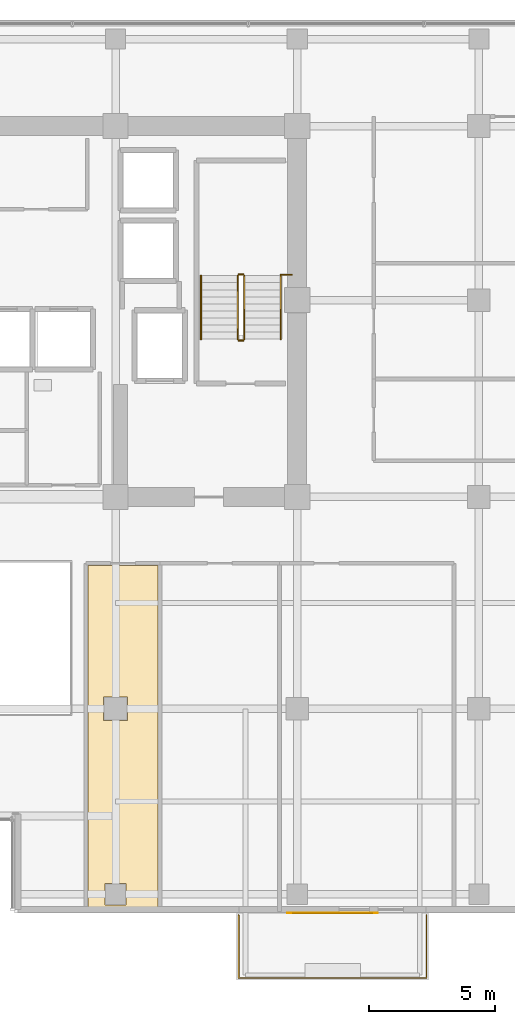
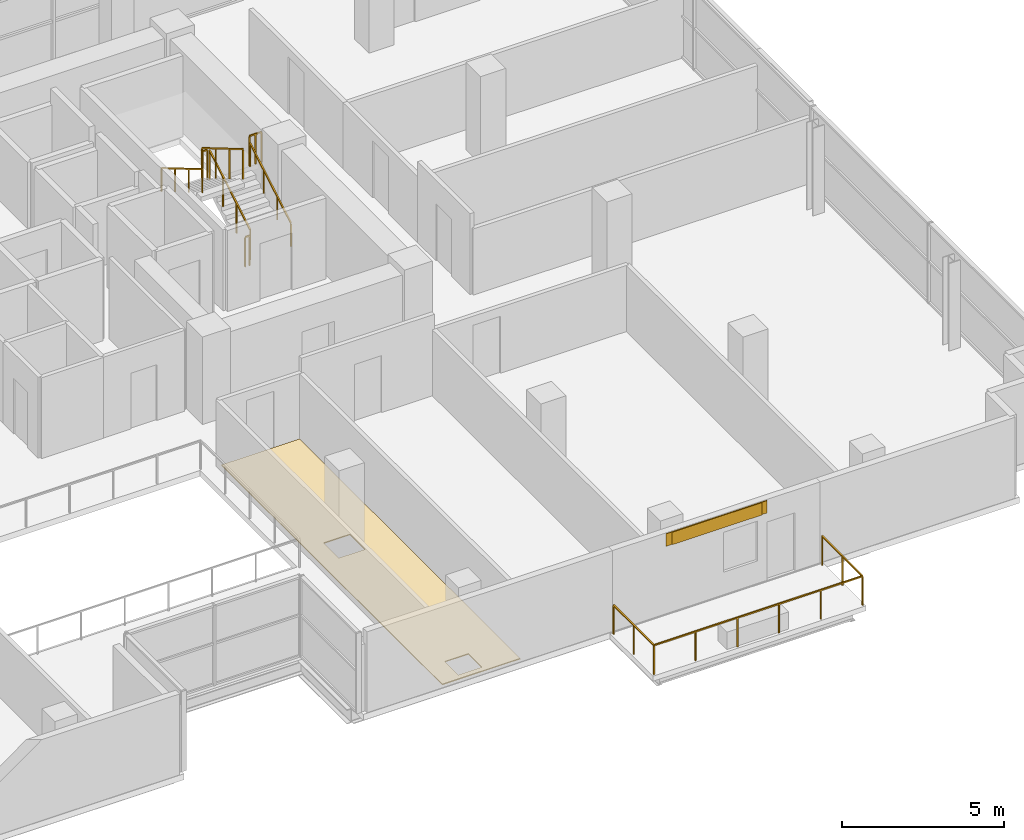
# One storey, part 21 of 22: 8 railings, 2 coverings, 1 shading device.
"""IFC4 building model written with IfcOpenShell, lengths in metres."""

from ifc_helpers import new_model, si_unit, direction, frame, origin, origin_2d, place, context, subcontext, project, spatial, polyline, rectangle, outline, extrude, source, transform, mapped, material, layer, layer_set, type_object, element, save


model = new_model("IFC4")

# Units and contexts
model_context = context("Model", 3, precision=1e-05, world=origin(), true_north=direction((0.0, 1.0)))
body_context = subcontext(model_context, "Body", "Model", "MODEL_VIEW")
ifc_project = project(units=[si_unit("LENGTHUNIT", "METRE"), si_unit("AREAUNIT", "SQUARE_METRE"), si_unit("VOLUMEUNIT", "CUBIC_METRE"), si_unit("PLANEANGLEUNIT", "RADIAN"), si_unit("MASSUNIT", "GRAM", prefix="KILO")], contexts=[model_context])

# Site, building, storey
site_placement = place(None, origin())
site = spatial("IfcSite", under=ifc_project, at=site_placement, CompositionType="ELEMENT")
building_placement = place(site_placement, origin())
building = spatial("IfcBuilding", under=site, at=building_placement, Name="Zarnakvel Exchange Tower", CompositionType="ELEMENT")
storey_placement = place(building_placement, frame((0.0, 0.0, 136.300048828125)))
storey = spatial("IfcBuildingStorey", under=building, at=storey_placement, Name="L38", CompositionType="ELEMENT", Elevation=136.300048828125)

# Covering
ifc_material_1 = material(Name="Heavy-Duty Raised Access Floor Panel", Category="steel")
ifc_layer_1 = layer(ifc_material_1, 0.034912109375)
ifc_layer_set_1 = layer_set([ifc_layer_1], Name="Heavy-Duty Raised Access Floor Panel")
covering_type_1 = type_object("IfcCoveringType", Name="FLR-02", PredefinedType="FLOORING", material=ifc_layer_set_1)
covering_1_placement = place(storey_placement, origin())
element("IfcCovering", 1, at=covering_1_placement, inside=storey, type_object=covering_type_1, Name="L38 Floor Finish (Boardroom)", PredefinedType="FLOORING", context=body_context, shape_type="SweptSolid", body=[
    extrude(outline(polyline([(6.10009765625, -3.909912109375), (8.88427734375, -3.909912109375), (8.88427734375, -17.550048828125), (6.10009765625, -17.550048828125), (6.10009765625, -3.909912109375)]), holes=[polyline([(6.72998046875, -10.070068359375), (7.669921875, -10.070068359375), (7.669921875, -9.1298828125), (6.72998046875, -9.1298828125), (6.72998046875, -10.070068359375)]), polyline([(7.6201171875, -17.3701171875), (7.6201171875, -16.530029296875), (6.780029296875, -16.530029296875), (6.780029296875, -17.3701171875), (7.6201171875, -17.3701171875)])]), origin(), (0.0, 0.0, 1.0), 0.034912109375),
])

# Railings
ifc_material_2 = material(Name="Architectural Bronze Anodised Aluminium", Category="aluminium")
railing_type_1 = type_object("IfcRailingType", Name="GR-02", PredefinedType="GUARDRAIL", material=ifc_material_2)
railing_1_placement = place(storey_placement, frame((12.080078125, -17.780029296875, -0.03515625)))
element("IfcRailing", 2, at=railing_1_placement, inside=storey, type_object=railing_type_1, Name="L38 Balcony Guardrail BAL-L38-SE", PredefinedType="GUARDRAIL", context=body_context, shape_type="SweptSolid", body=[
    extrude(rectangle(XDim=0.048095703125, YDim=0.048095703125, at=origin_2d()), frame((0.0, 0.0, 1.09619140625), z_axis=(0.0, -1.0, 0.0), x_axis=(1.0, 0.0, 0.0)), (0.0, 0.0, 1.0), 2.489990234375),
    extrude(rectangle(XDim=0.048095703125, YDim=0.048095703125, at=origin_2d()), frame((0.0, -2.489990234375, 1.09619140625), z_axis=(1.0, 0.0, 0.0), x_axis=(0.0, 1.0, 0.0)), (0.0, 0.0, 1.0), 7.43994140625),
    extrude(rectangle(XDim=0.048095703125, YDim=0.048095703125, at=origin_2d()), frame((7.43994140625, -2.489990234375, 1.09619140625), z_axis=(0.0, 1.0, 0.0), x_axis=(-1.0, 0.0, 0.0)), (0.0, 0.0, 1.0), 2.489990234375),
    extrude(rectangle(XDim=0.0419921875, YDim=0.0419921875, at=origin_2d()), origin(), (0.0, 0.0, 1.0), 1.072021484375),
    extrude(rectangle(XDim=0.0419921875, YDim=0.0419921875, at=origin_2d()), frame((0.0, -1.2451171875, 0.0)), (0.0, 0.0, 1.0), 1.072021484375),
    extrude(rectangle(XDim=0.0419921875, YDim=0.0419921875, at=origin_2d()), frame((0.0, -2.489990234375, 0.0)), (0.0, 0.0, 1.0), 1.072021484375),
    extrude(rectangle(XDim=0.0419921875, YDim=0.0419921875, at=origin_2d()), frame((1.488037109375, -2.489990234375, 0.0)), (0.0, 0.0, 1.0), 1.072021484375),
    extrude(rectangle(XDim=0.0419921875, YDim=0.0419921875, at=origin_2d()), frame((2.97607421875, -2.489990234375, 0.0)), (0.0, 0.0, 1.0), 1.072021484375),
    extrude(rectangle(XDim=0.0419921875, YDim=0.0419921875, at=origin_2d()), frame((4.4638671875, -2.489990234375, 0.0)), (0.0, 0.0, 1.0), 1.072021484375),
    extrude(rectangle(XDim=0.0419921875, YDim=0.0419921875, at=origin_2d()), frame((5.951904296875, -2.489990234375, 0.0)), (0.0, 0.0, 1.0), 1.072021484375),
    extrude(rectangle(XDim=0.0419921875, YDim=0.0419921875, at=origin_2d()), frame((7.43994140625, -2.489990234375, 0.0)), (0.0, 0.0, 1.0), 1.072021484375),
    extrude(rectangle(XDim=0.0419921875, YDim=0.0419921875, at=origin_2d()), frame((7.43994140625, -1.2451171875, 0.0)), (0.0, 0.0, 1.0), 1.072021484375),
    extrude(rectangle(XDim=0.0419921875, YDim=0.0419921875, at=origin_2d()), frame((7.43994140625, 0.0, 0.0)), (0.0, 0.0, 1.0), 1.072021484375),
])
ifc_material_3 = material(Name="Brushed Stainless Steel", Category="steel")
railing_type_2 = type_object("IfcRailingType", Name="HR-01", PredefinedType="HANDRAIL", material=ifc_material_3)
railing_2_placement = place(storey_placement, frame((13.75, 5.050048828125, 0.1650390625)))
element("IfcRailing", 3, at=railing_2_placement, inside=storey, type_object=railing_type_2, Name="L38 ST-02 stair handrail 1", PredefinedType="HANDRAIL", context=body_context, shape_type="SweptSolid", body=[
    extrude(rectangle(XDim=0.048095703125, YDim=0.048095703125, at=origin_2d()), frame((0.0, 0.0, 0.8759765625), z_axis=(0.0, 0.861560626758, 0.507654692109), x_axis=(-1.0, 0.0, 0.0)), (0.0, 0.0, 1.0), 2.925048828125),
    extrude(rectangle(XDim=0.0419921875, YDim=0.0419921875, at=origin_2d()), origin(), (0.0, 0.0, 1.0), 0.851806640625),
    extrude(rectangle(XDim=0.0419921875, YDim=0.0419921875, at=origin_2d()), frame((0.0, 0.840087890625, 0.494873046875)), (0.0, 0.0, 1.0), 0.851806640625),
    extrude(rectangle(XDim=0.0419921875, YDim=0.0419921875, at=origin_2d()), frame((0.0, 1.679931640625, 0.989990234375)), (0.0, 0.0, 1.0), 0.851806640625),
    extrude(rectangle(XDim=0.0419921875, YDim=0.0419921875, at=origin_2d()), frame((0.0, 2.52001953125, 1.48486328125)), (0.0, 0.0, 1.0), 0.851806640625),
])
railing_3_placement = place(storey_placement, frame((10.590087890625, 7.570068359375, 1.81494140625)))
element("IfcRailing", 4, at=railing_3_placement, inside=storey, type_object=railing_type_2, Name="L38 ST-02 stair handrail 2", PredefinedType="HANDRAIL", context=body_context, shape_type="SweptSolid", body=[
    extrude(rectangle(XDim=0.048095703125, YDim=0.048095703125, at=origin_2d()), frame((0.0, 0.0, 0.8759765625), z_axis=(0.0, -0.86152411907, 0.507716645641), x_axis=(1.0, 0.0, 0.0)), (0.0, 0.0, 1.0), 2.925048828125),
    extrude(rectangle(XDim=0.0419921875, YDim=0.0419921875, at=origin_2d()), origin(), (0.0, 0.0, 1.0), 0.851806640625),
    extrude(rectangle(XDim=0.0419921875, YDim=0.0419921875, at=origin_2d()), frame((0.0, -0.840087890625, 0.4951171875)), (0.0, 0.0, 1.0), 0.851806640625),
    extrude(rectangle(XDim=0.0419921875, YDim=0.0419921875, at=origin_2d()), frame((0.0, -1.679931640625, 0.989990234375)), (0.0, 0.0, 1.0), 0.851806640625),
    extrude(rectangle(XDim=0.0419921875, YDim=0.0419921875, at=origin_2d()), frame((0.0, -2.52001953125, 1.485107421875)), (0.0, 0.0, 1.0), 0.851806640625),
])
railing_type_3 = type_object("IfcRailingType", Name="SG-01", PredefinedType="GUARDRAIL", material=ifc_material_2)
railing_4_placement = place(storey_placement, frame((12.300048828125, 5.050048828125, 0.1650390625)))
element("IfcRailing", 5, at=railing_4_placement, inside=storey, type_object=railing_type_3, Name="L38 ST-02 stair guard 1", PredefinedType="GUARDRAIL", context=body_context, shape_type="SweptSolid", body=[
    extrude(rectangle(XDim=0.048095703125, YDim=0.048095703125, at=origin_2d()), frame((0.0, 0.0, 1.1259765625), z_axis=(0.0, 0.861560626758, 0.507654692109), x_axis=(-1.0, 0.0, 0.0)), (0.0, 0.0, 1.0), 2.925048828125),
    extrude(rectangle(XDim=0.0419921875, YDim=0.0419921875, at=origin_2d()), origin(), (0.0, 0.0, 1.0), 1.101806640625),
    extrude(rectangle(XDim=0.0419921875, YDim=0.0419921875, at=origin_2d()), frame((0.0, 0.840087890625, 0.494873046875)), (0.0, 0.0, 1.0), 1.101806640625),
    extrude(rectangle(XDim=0.0419921875, YDim=0.0419921875, at=origin_2d()), frame((0.0, 1.679931640625, 0.989990234375)), (0.0, 0.0, 1.0), 1.101806640625),
    extrude(rectangle(XDim=0.0419921875, YDim=0.0419921875, at=origin_2d()), frame((0.0, 2.52001953125, 1.48486328125)), (0.0, 0.0, 1.0), 1.101806640625),
])
railing_5_placement = place(storey_placement, frame((12.25, 7.6201171875, 1.64990234375)))
element("IfcRailing", 6, at=railing_5_placement, inside=storey, type_object=railing_type_3, Name="L38 ST-02 stair guard 2", PredefinedType="GUARDRAIL", context=body_context, shape_type="SweptSolid", body=[
    extrude(rectangle(XDim=0.048095703125, YDim=0.048095703125, at=origin_2d()), frame((0.0, 0.0, 1.1259765625), z_axis=(-1.0, 0.0, 0.0), x_axis=(0.0, -1.0, 0.0)), (0.0, 0.0, 1.0), 0.159912109375),
    extrude(rectangle(XDim=0.0419921875, YDim=0.0419921875, at=origin_2d()), origin(), (0.0, 0.0, 1.0), 1.101806640625),
    extrude(rectangle(XDim=0.0419921875, YDim=0.0419921875, at=origin_2d()), frame((-0.159912109375, 0.0, 0.0)), (0.0, 0.0, 1.0), 1.101806640625),
])
railing_6_placement = place(storey_placement, frame((12.0400390625, 7.570068359375, 1.81494140625)))
element("IfcRailing", 7, at=railing_6_placement, inside=storey, type_object=railing_type_3, Name="L38 ST-02 stair guard 3", PredefinedType="GUARDRAIL", context=body_context, shape_type="SweptSolid", body=[
    extrude(rectangle(XDim=0.048095703125, YDim=0.048095703125, at=origin_2d()), frame((0.0, 0.0, 1.1259765625), z_axis=(0.0, -0.86152411907, 0.507716645641), x_axis=(1.0, 0.0, 0.0)), (0.0, 0.0, 1.0), 2.925048828125),
    extrude(rectangle(XDim=0.0419921875, YDim=0.0419921875, at=origin_2d()), origin(), (0.0, 0.0, 1.0), 1.101806640625),
    extrude(rectangle(XDim=0.0419921875, YDim=0.0419921875, at=origin_2d()), frame((0.0, -0.840087890625, 0.4951171875)), (0.0, 0.0, 1.0), 1.101806640625),
    extrude(rectangle(XDim=0.0419921875, YDim=0.0419921875, at=origin_2d()), frame((0.0, -1.679931640625, 0.989990234375)), (0.0, 0.0, 1.0), 1.101806640625),
    extrude(rectangle(XDim=0.0419921875, YDim=0.0419921875, at=origin_2d()), frame((0.0, -2.52001953125, 1.485107421875)), (0.0, 0.0, 1.0), 1.101806640625),
])
railing_7_placement = place(storey_placement, frame((12.25, 5.0, 0.0)))
element("IfcRailing", 8, at=railing_7_placement, inside=storey, type_object=railing_type_3, Name="L38 ST-02 stair guard 4", PredefinedType="GUARDRAIL", context=body_context, shape_type="SweptSolid", body=[
    extrude(rectangle(XDim=0.048095703125, YDim=0.048095703125, at=origin_2d()), frame((0.0, 0.0, 1.1259765625), z_axis=(-1.0, 0.0, 0.0), x_axis=(0.0, -1.0, 0.0)), (0.0, 0.0, 1.0), 0.159912109375),
    extrude(rectangle(XDim=0.0419921875, YDim=0.0419921875, at=origin_2d()), origin(), (0.0, 0.0, 1.0), 1.101806640625),
    extrude(rectangle(XDim=0.0419921875, YDim=0.0419921875, at=origin_2d()), frame((-0.159912109375, 0.0, 0.0)), (0.0, 0.0, 1.0), 1.101806640625),
])
railing_8_placement = place(storey_placement, frame((13.75, 7.610107421875, 1.64990234375)))
element("IfcRailing", 9, at=railing_8_placement, inside=storey, type_object=railing_type_3, Name="L38 ST-02 Landing Slot Guardrail", PredefinedType="GUARDRAIL", context=body_context, shape_type="SweptSolid", body=[
    extrude(rectangle(XDim=0.048095703125, YDim=0.048095703125, at=origin_2d()), frame((0.0, 0.0, 1.1259765625), z_axis=(1.0, 0.0, 0.0), x_axis=(0.0, 1.0, 0.0)), (0.0, 0.0, 1.0), 0.429931640625),
    extrude(rectangle(XDim=0.0419921875, YDim=0.0419921875, at=origin_2d()), origin(), (0.0, 0.0, 1.0), 1.101806640625),
    extrude(rectangle(XDim=0.0419921875, YDim=0.0419921875, at=origin_2d()), frame((0.21484375, 0.0, 0.0)), (0.0, 0.0, 1.0), 1.101806640625),
    extrude(rectangle(XDim=0.0419921875, YDim=0.0419921875, at=origin_2d()), frame((0.429931640625, 0.0, 0.0)), (0.0, 0.0, 1.0), 1.101806640625),
])

# Shading device
ifc_material_4 = material(Name="Perforated Architectural Bronze Screen", Category="aluminium")
ifc_layer_2 = layer(ifc_material_4, 0.044921875)
ifc_layer_set_2 = layer_set([ifc_layer_2], Name="Perforated Architectural Bronze Screen")
shading_device_type = type_object("IfcShadingDeviceType", Name="SS-01", PredefinedType="JALOUSIE", material=ifc_layer_set_2)
shared_shape_1 = source(origin(), body_context, "Body", "SweptSolid", [
    extrude(rectangle(XDim=3.199951171875, YDim=0.044921875, at=origin_2d()), origin(), (0.0, 0.0, 1.0), 0.469970703125),
])
shading_device_placement = place(storey_placement, frame((15.800048828125, -17.700439453125, 2.56005859375), z_axis=(0.0, 0.0, 1.0), x_axis=(-1.0, 0.0, 0.0)))
element("IfcShadingDevice", 10, at=shading_device_placement, inside=storey, type_object=shading_device_type, Name="L38 Bronze Solar Shading Screen SS-01", PredefinedType="JALOUSIE", context=body_context, shape_type="MappedRepresentation", body=[
    mapped(shared_shape_1, transform((0.0, 0.0, 0.0), x_axis=(1.0, 0.0, 0.0), y_axis=(0.0, 1.0, 0.0), z_axis=(0.0, 0.0, 1.0), scale=1.0)),
])

# Covering
ifc_material_5 = material(Name="Glazed Turquoise Ceramic Architectural Tile", Category="ceramic")
ifc_layer_3 = layer(ifc_material_5, 0.028076171875)
ifc_layer_set_3 = layer_set([ifc_layer_3], Name="Glazed Turquoise Ceramic Architectural Tile")
covering_type_2 = type_object("IfcCoveringType", Name="CL-01", PredefinedType="CLADDING", material=ifc_layer_set_3)
shared_shape_2 = source(origin(), body_context, "Body", "SweptSolid", [
    extrude(rectangle(XDim=3.60009765625, YDim=0.028076171875, at=origin_2d()), origin(), (0.0, 0.0, 1.0), 0.469970703125),
])
covering_2_placement = place(storey_placement, frame((15.800048828125, -17.69189453125, 2.56005859375), z_axis=(0.0, 0.0, 1.0), x_axis=(-1.0, 0.0, 0.0)))
element("IfcCovering", 11, at=covering_2_placement, inside=storey, type_object=covering_type_2, Name="L38 Ceramic Spandrel Tilework CL-01", PredefinedType="CLADDING", context=body_context, shape_type="MappedRepresentation", body=[
    mapped(shared_shape_2, transform((0.0, 0.0, 0.0), x_axis=(1.0, 0.0, 0.0), y_axis=(0.0, 1.0, 0.0), z_axis=(0.0, 0.0, 1.0), scale=1.0)),
])

save(model, "model.ifc")
